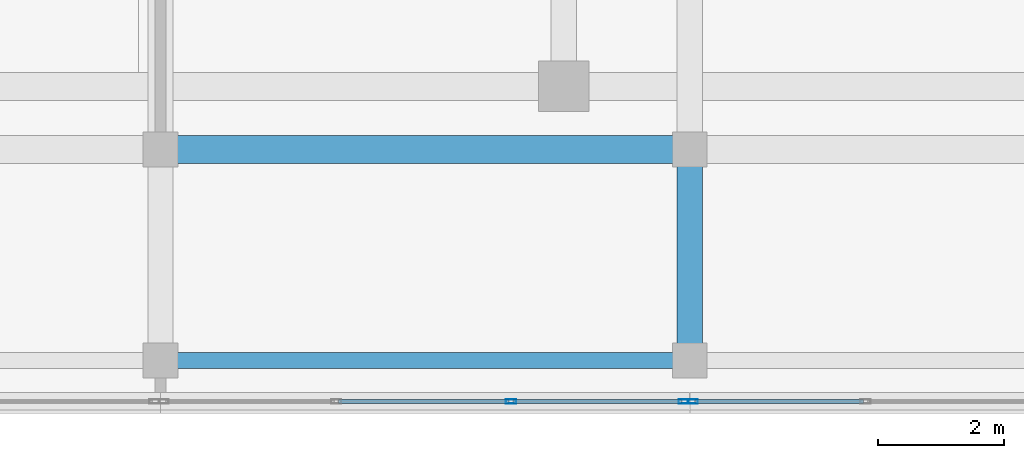
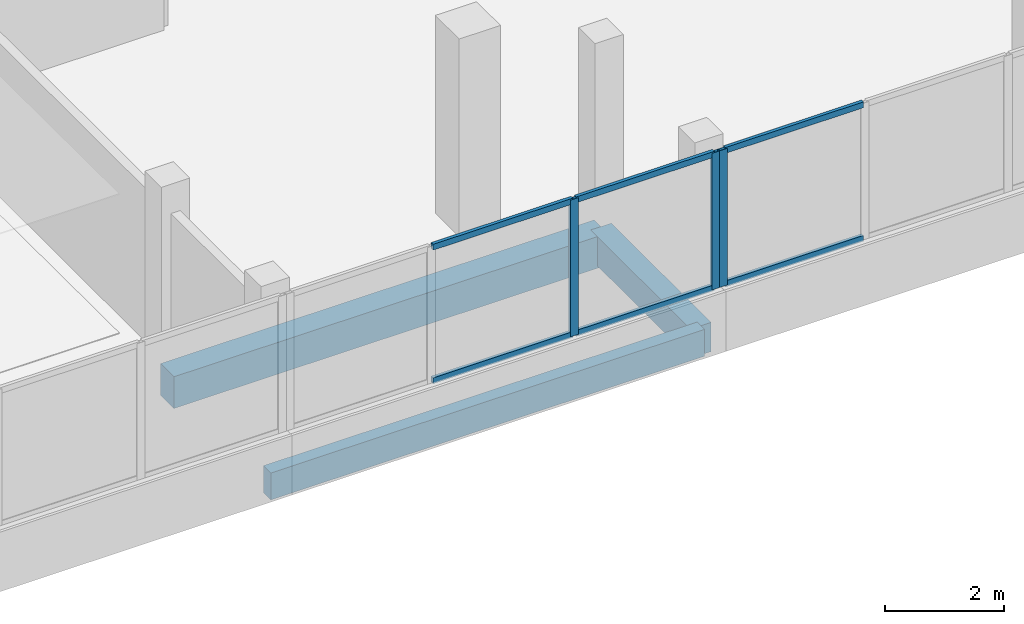
# One storey, part 18 of 67: 9 members, 3 beams, 2 elements without a shape of their own.
"""IFC4 building model written with IfcOpenShell, lengths in metres."""

from ifc_helpers import new_model, si_unit, direction, frame, origin, origin_2d, place, context, subcontext, project, spatial, rectangle, hollow_rectangle, extrude, material, material_profile, profile_set, type_object, element, aggregate, save


model = new_model("IFC4")

# Units and contexts
model_context = context("Model", 3, precision=1e-05, world=origin(), true_north=direction((0.0, 1.0)))
body_context = subcontext(model_context, "Body", "Model", "MODEL_VIEW")
ifc_project = project(units=[si_unit("LENGTHUNIT", "METRE"), si_unit("AREAUNIT", "SQUARE_METRE"), si_unit("VOLUMEUNIT", "CUBIC_METRE"), si_unit("PLANEANGLEUNIT", "RADIAN"), si_unit("MASSUNIT", "GRAM", prefix="KILO")], contexts=[model_context])

# Site, building, storey
site_placement = place(None, origin())
site = spatial("IfcSite", under=ifc_project, at=site_placement, CompositionType="ELEMENT")
building_placement = place(site_placement, origin())
building = spatial("IfcBuilding", under=site, at=building_placement, Name="Selatvlak General Hospital", CompositionType="ELEMENT")
storey_placement = place(building_placement, frame((0.0, 0.0, 35.39990234375)))
storey = spatial("IfcBuildingStorey", under=building, at=storey_placement, Name="L08", CompositionType="ELEMENT", Elevation=35.39990234375)

# Beams
ifc_material_1 = material(Name="Concrete C40/50", Category="concrete")
ifc_material_profile_1 = material_profile(ifc_material_1, rectangle(XDim=0.449951171875, YDim=0.64990234375, at=origin_2d()), Name="RC-BM 450x650")
ifc_profile_set_1 = profile_set([ifc_material_profile_1], Name="Concrete C40/50")
beam_type_1 = type_object("IfcBeamType", Name="BM-G04", PredefinedType="BEAM", material=ifc_profile_set_1)
beam_1_placement = place(storey_placement, frame((64.800048828125, 92.0, -0.58984375), z_axis=(1.0, 0.0, 0.0), x_axis=(0.0, 1.0, 0.0)))
element("IfcBeam", 1, at=beam_1_placement, inside=storey, type_object=beam_type_1, Name="Beam BMR-L08-2573", PredefinedType="BEAM", context=body_context, shape_type="SweptSolid", body=[
    extrude(rectangle(XDim=0.449951171875, YDim=0.64990234375, at=origin_2d()), origin(), (0.0, 0.0, 1.0), 8.39990234375),
])
ifc_material_profile_2 = material_profile(ifc_material_1, rectangle(XDim=0.39990234375, YDim=0.60009765625, at=origin_2d()), Name="RC-BM 400x600")
ifc_profile_set_2 = profile_set([ifc_material_profile_2], Name="Concrete C40/50")
beam_type_2 = type_object("IfcBeamType", Name="BM-G05", PredefinedType="BEAM", material=ifc_profile_set_2)
beam_2_placement = place(storey_placement, frame((73.199951171875, 88.64990234375, -0.56494140625), z_axis=(0.0, 1.0, 0.0), x_axis=(-1.0, 0.0, 0.0)))
element("IfcBeam", 2, at=beam_2_placement, inside=storey, type_object=beam_type_2, Name="Beam BMR-L08-2661", PredefinedType="BEAM", context=body_context, shape_type="SweptSolid", body=[
    extrude(rectangle(XDim=0.39990234375, YDim=0.60009765625, at=origin_2d()), origin(), (0.0, 0.0, 1.0), 3.35009765625),
])
ifc_material_profile_3 = material_profile(ifc_material_1, rectangle(XDim=0.25, YDim=0.550048828125, at=origin_2d()), Name="RC-SP 250x550")
ifc_profile_set_3 = profile_set([ifc_material_profile_3], Name="Concrete C40/50")
beam_type_3 = type_object("IfcBeamType", Name="BM-SP2", PredefinedType="SPANDREL", material=ifc_profile_set_3)
beam_3_placement = place(storey_placement, frame((64.800048828125, 88.64990234375, -0.539794921875), z_axis=(1.0, 0.0, 0.0), x_axis=(0.0, 1.0, 0.0)))
element("IfcBeam", 3, at=beam_3_placement, inside=storey, type_object=beam_type_3, Name="Beam BMR-L08-2556", PredefinedType="SPANDREL", context=body_context, shape_type="SweptSolid", body=[
    extrude(rectangle(XDim=0.25, YDim=0.550048828125, at=origin_2d()), origin(), (0.0, 0.0, 1.0), 8.39990234375),
])

# Curtain wall, member
ifc_material_2 = material(Name="Solar-control Low-E double glazing", Category="glass")
curtain_wall_type_1 = type_object("IfcCurtainWallType", Name="CW-CW-01", PredefinedType="USERDEFINED", material=ifc_material_2)
curtain_wall_1_placement = place(storey_placement, origin())
curtain_wall_1 = element("IfcCurtainWall", 4, at=curtain_wall_1_placement, inside=storey, type_object=curtain_wall_type_1, Name="Glazed facade curtain wall CW-L08-0710", ObjectType="UNITISED CURTAIN WALL", PredefinedType="USERDEFINED")
ifc_material_3 = material(Name="Dark anodised aluminium mullion", Category="aluminium")
ifc_material_profile_4 = material_profile(ifc_material_3, hollow_rectangle(XDim=0.06494140625, YDim=0.159912109375, WallThickness=0.00390625, at=origin_2d()), Name="AL-MUL 65x160x4")
ifc_profile_set_4 = profile_set([ifc_material_profile_4], Name="Dark anodised aluminium mullion")
member_type_1 = type_object("IfcMemberType", Name="CWM-01", PredefinedType="MULLION", material=ifc_profile_set_4)
member_1_placement = place(storey_placement, frame((73.24755859375, 88.0, 0.940185546875), z_axis=(0.0, 0.0, 1.0), x_axis=(0.0, -1.0, 0.0)))
member_1 = element("IfcMember", 5, at=member_1_placement, type_object=member_type_1, Name="CW-01 mullion 4", PredefinedType="MULLION", context=body_context, shape_type="SweptSolid", body=[
    extrude(hollow_rectangle(XDim=0.06494140625, YDim=0.159912109375, WallThickness=0.00390625, at=origin_2d()), origin(), (0.0, 0.0, 1.0), 2.7998046875),
])

# Curtain wall, members
curtain_wall_type_2 = type_object("IfcCurtainWallType", Name="CW-CW-02", PredefinedType="USERDEFINED", material=ifc_material_2)
curtain_wall_2_placement = place(storey_placement, origin())
curtain_wall_2 = element("IfcCurtainWall", 6, at=curtain_wall_2_placement, inside=storey, type_object=curtain_wall_type_2, Name="Glazed facade curtain wall CW-L08-0711", ObjectType="UNITISED CURTAIN WALL", PredefinedType="USERDEFINED")
member_2_placement = place(storey_placement, frame((73.1025390625, 88.0, 0.940185546875), z_axis=(0.0, 0.0, 1.0), x_axis=(0.0, -1.0, 0.0)))
member_2 = element("IfcMember", 7, at=member_2_placement, type_object=member_type_1, Name="CW-02 mullion 1", PredefinedType="MULLION", context=body_context, shape_type="SweptSolid", body=[
    extrude(hollow_rectangle(XDim=0.06494140625, YDim=0.159912109375, WallThickness=0.00390625, at=origin_2d()), origin(), (0.0, 0.0, 1.0), 2.7998046875),
])
member_3_placement = place(storey_placement, frame((70.361572265625, 88.0, 0.940185546875), z_axis=(0.0, 0.0, 1.0), x_axis=(0.0, -1.0, 0.0)))
member_3 = element("IfcMember", 8, at=member_3_placement, type_object=member_type_1, Name="CW-02 mullion 2", PredefinedType="MULLION", context=body_context, shape_type="SweptSolid", body=[
    extrude(hollow_rectangle(XDim=0.06494140625, YDim=0.159912109375, WallThickness=0.00390625, at=origin_2d()), origin(), (0.0, 0.0, 1.0), 2.7998046875),
])

# Member
ifc_material_profile_5 = material_profile(ifc_material_3, hollow_rectangle(XDim=0.06494140625, YDim=0.1201171875, WallThickness=0.00390625, at=origin_2d()), Name="AL-TRN 65x120x4")
ifc_profile_set_5 = profile_set([ifc_material_profile_5], Name="Dark anodised aluminium mullion")
member_type_2 = type_object("IfcMemberType", Name="CWT-01", PredefinedType="USERDEFINED", material=ifc_profile_set_5)
member_4_placement = place(storey_placement, frame((75.955810546875, 88.0, 0.97265625), z_axis=(-1.0, 0.0, 0.0), x_axis=(0.0, -1.0, 0.0)))
member_4 = element("IfcMember", 9, at=member_4_placement, type_object=member_type_2, Name="CW-01 transom 3.1", ObjectType="TRANSOM", PredefinedType="USERDEFINED", context=body_context, shape_type="SweptSolid", body=[
    extrude(hollow_rectangle(XDim=0.06494140625, YDim=0.1201171875, WallThickness=0.00390625, at=origin_2d()), origin(), (0.0, 0.0, 1.0), 2.67578125),
])

member_5_placement = place(storey_placement, frame((75.955810546875, 88.0, 3.70751953125), z_axis=(-1.0, 0.0, 0.0), x_axis=(0.0, -1.0, 0.0)))
member_5 = element("IfcMember", 10, at=member_5_placement, type_object=member_type_2, Name="CW-01 transom 3.2", ObjectType="TRANSOM", PredefinedType="USERDEFINED", context=body_context, shape_type="SweptSolid", body=[
    extrude(hollow_rectangle(XDim=0.06494140625, YDim=0.1201171875, WallThickness=0.00390625, at=origin_2d()), origin(), (0.0, 0.0, 1.0), 2.67578125),
])

aggregate(curtain_wall_1, [member_1, member_4, member_5])

member_6_placement = place(storey_placement, frame((73.070068359375, 88.0, 0.97265625), z_axis=(-1.0, 0.0, 0.0), x_axis=(0.0, -1.0, 0.0)))
member_6 = element("IfcMember", 11, at=member_6_placement, type_object=member_type_2, Name="CW-02 transom 1.1", ObjectType="TRANSOM", PredefinedType="USERDEFINED", context=body_context, shape_type="SweptSolid", body=[
    extrude(hollow_rectangle(XDim=0.06494140625, YDim=0.1201171875, WallThickness=0.00390625, at=origin_2d()), origin(), (0.0, 0.0, 1.0), 2.67578125),
])

member_7_placement = place(storey_placement, frame((73.070068359375, 88.0, 3.70751953125), z_axis=(-1.0, 0.0, 0.0), x_axis=(0.0, -1.0, 0.0)))
member_7 = element("IfcMember", 12, at=member_7_placement, type_object=member_type_2, Name="CW-02 transom 1.2", ObjectType="TRANSOM", PredefinedType="USERDEFINED", context=body_context, shape_type="SweptSolid", body=[
    extrude(hollow_rectangle(XDim=0.06494140625, YDim=0.1201171875, WallThickness=0.00390625, at=origin_2d()), origin(), (0.0, 0.0, 1.0), 2.67578125),
])

member_8_placement = place(storey_placement, frame((70.3291015625, 88.0, 0.97265625), z_axis=(-1.0, 0.0, 0.0), x_axis=(0.0, -1.0, 0.0)))
member_8 = element("IfcMember", 13, at=member_8_placement, type_object=member_type_2, Name="CW-02 transom 2.1", ObjectType="TRANSOM", PredefinedType="USERDEFINED", context=body_context, shape_type="SweptSolid", body=[
    extrude(hollow_rectangle(XDim=0.06494140625, YDim=0.1201171875, WallThickness=0.00390625, at=origin_2d()), origin(), (0.0, 0.0, 1.0), 2.708251953125),
])

member_9_placement = place(storey_placement, frame((70.3291015625, 88.0, 3.70751953125), z_axis=(-1.0, 0.0, 0.0), x_axis=(0.0, -1.0, 0.0)))
member_9 = element("IfcMember", 14, at=member_9_placement, type_object=member_type_2, Name="CW-02 transom 2.2", ObjectType="TRANSOM", PredefinedType="USERDEFINED", context=body_context, shape_type="SweptSolid", body=[
    extrude(hollow_rectangle(XDim=0.06494140625, YDim=0.1201171875, WallThickness=0.00390625, at=origin_2d()), origin(), (0.0, 0.0, 1.0), 2.708251953125),
])

aggregate(curtain_wall_2, [member_2, member_3, member_6, member_7, member_8, member_9])

save(model, "model.ifc")
